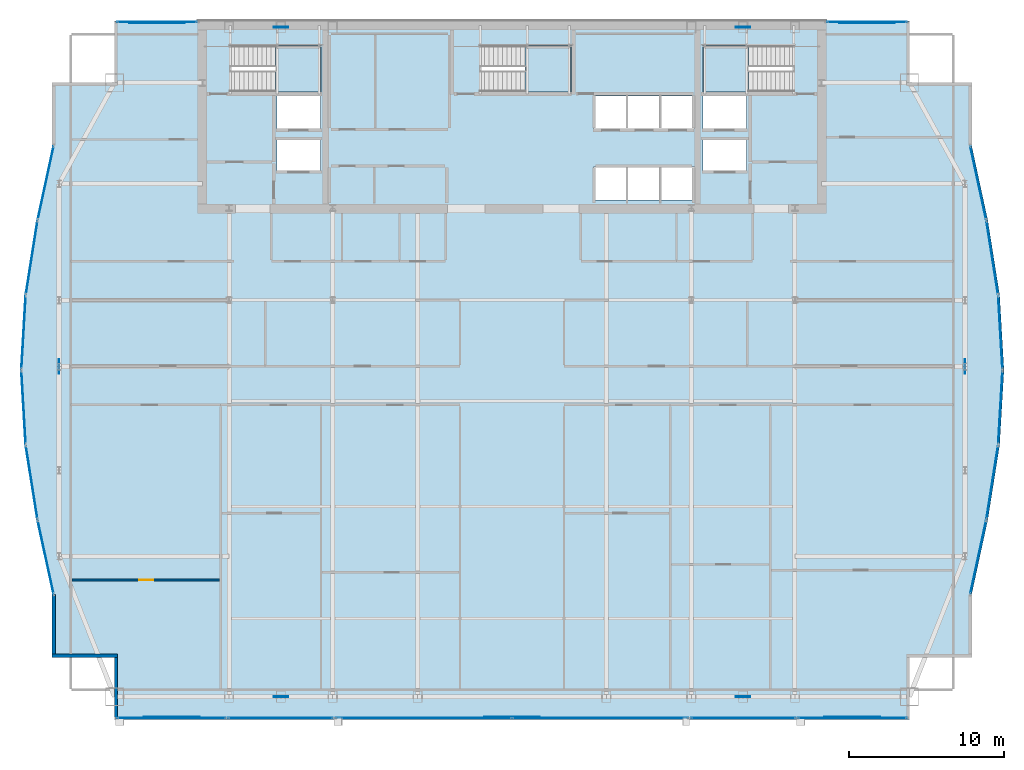
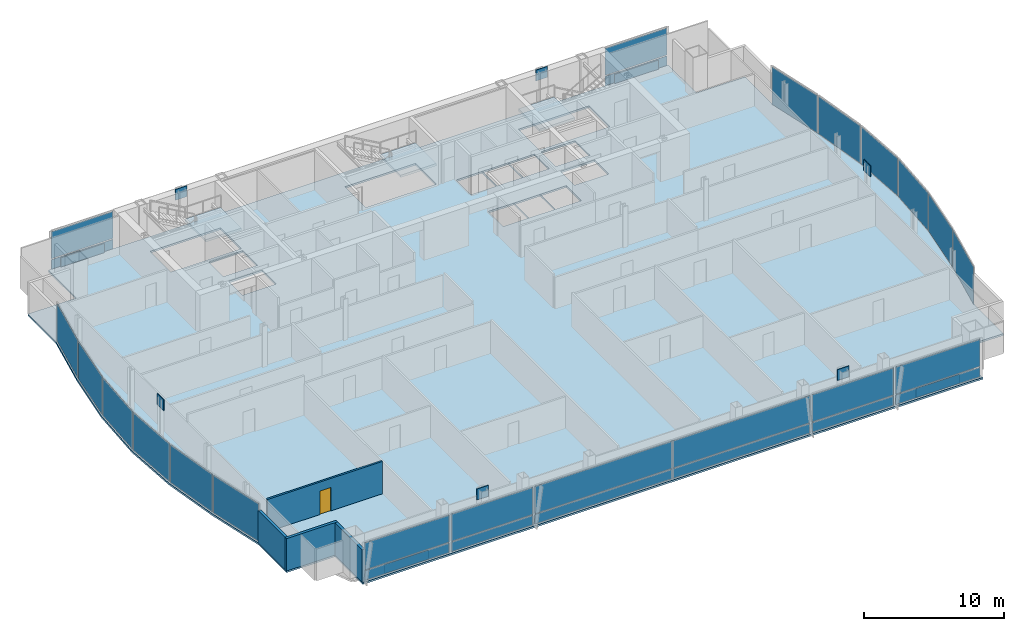
# One storey, part 24 of 30: 39 plates, 4 slabs, 4 walls, 1 door, 1 opening, 22 elements without a shape of their own.
"""IFC4 building model written with IfcOpenShell, lengths in metres."""

from ifc_helpers import new_model, si_unit, direction, frame, frame_2d, origin, origin_2d, place, context, subcontext, project, spatial, polyline, rectangle, outline, extrude, material, layer, layer_set, type_object, element, fill, aggregate, save


model = new_model("IFC4")

# Units and contexts
model_context = context("Model", 3, precision=1e-05, world=origin(), true_north=direction((0.0, 1.0)))
body_context = subcontext(model_context, "Body", "Model", "MODEL_VIEW")
ifc_project = project(units=[si_unit("LENGTHUNIT", "METRE"), si_unit("AREAUNIT", "SQUARE_METRE"), si_unit("VOLUMEUNIT", "CUBIC_METRE"), si_unit("PLANEANGLEUNIT", "RADIAN"), si_unit("MASSUNIT", "GRAM", prefix="KILO")], contexts=[model_context])

# Site, building, storey
site_placement = place(None, origin())
site = spatial("IfcSite", under=ifc_project, at=site_placement, CompositionType="ELEMENT")
building_placement = place(site_placement, origin())
building = spatial("IfcBuilding", under=site, at=building_placement, Name="Khoronbel Lancet Exchange", CompositionType="ELEMENT")
storey_placement = place(building_placement, frame((0.0, 0.0, 217.39990234375)))
storey = spatial("IfcBuildingStorey", under=building, at=storey_placement, Name="L55", CompositionType="ELEMENT", Elevation=217.39990234375)

# Curtain wall, plate
ifc_material_1 = material(Name="Low-E Solar Control Insulating Glass", Category="glass")
curtain_wall_type_1 = type_object("IfcCurtainWallType", Name="CW-4", PredefinedType="NOTDEFINED", material=ifc_material_1)
curtain_wall_1_placement = place(storey_placement, origin())
curtain_wall_1 = element("IfcCurtainWall", 1, at=curtain_wall_1_placement, inside=storey, type_object=curtain_wall_type_1, Name="Unitised curtain wall CW-L55-E05", PredefinedType="NOTDEFINED")
ifc_material_2 = material(Name="Bronze-Anodised Aluminium 6063-T6", Category="aluminium")
ifc_layer_1 = layer(ifc_material_2, 0.050048828125, Name="Bronze-Anodised Aluminium 6063-T6")
ifc_layer_set_1 = layer_set([ifc_layer_1], Name="Bronze-Anodised Aluminium 6063-T6")
plate_type_1 = type_object("IfcPlateType", Name="PLT-CSP1", PredefinedType="SHEET", material=ifc_layer_set_1)
plate_1_placement = place(storey_placement, frame((5.509033203125, 23.963134765625, 0.085205078125), z_axis=(0.0, 0.0, 1.0), x_axis=(-0.156605641119, 0.987661213762, 0.0)))
plate_1 = element("IfcPlate", 2, at=plate_1_placement, type_object=plate_type_1, Name="CW4 panel 1.1", PredefinedType="CURTAIN_PANEL", context=body_context, shape_type="SweptSolid", body=[
    extrude(rectangle(XDim=4.73681640625, YDim=0.0380859375, at=origin_2d()), origin(), (0.0, 0.0, 1.0), 3.27001953125),
])
aggregate(curtain_wall_1, [plate_1])

curtain_wall_2_placement = place(storey_placement, origin())
curtain_wall_2 = element("IfcCurtainWall", 3, at=curtain_wall_2_placement, inside=storey, type_object=curtain_wall_type_1, Name="Unitised curtain wall CW-L55-E06", PredefinedType="NOTDEFINED")
plate_2_placement = place(storey_placement, frame((4.986328125, 28.7880859375, 0.085205078125), z_axis=(0.0, 0.0, 1.0), x_axis=(-0.057929752304, 0.998320661811, 0.0)))
plate_2 = element("IfcPlate", 4, at=plate_2_placement, type_object=plate_type_1, Name="CW4 panel 1.1", PredefinedType="CURTAIN_PANEL", context=body_context, shape_type="SweptSolid", body=[
    extrude(rectangle(XDim=4.681640625, YDim=0.0380859375, at=origin_2d()), origin(), (0.0, 0.0, 1.0), 3.27001953125),
])
aggregate(curtain_wall_2, [plate_2])

curtain_wall_3_placement = place(storey_placement, origin())
curtain_wall_3 = element("IfcCurtainWall", 5, at=curtain_wall_3_placement, inside=storey, type_object=curtain_wall_type_1, Name="Unitised curtain wall CW-L55-E07", PredefinedType="NOTDEFINED")
plate_3_placement = place(storey_placement, frame((4.986328125, 33.61181640625, 0.085205078125), z_axis=(0.0, 0.0, 1.0), x_axis=(0.057929752304, 0.998320661811, 0.0)))
plate_3 = element("IfcPlate", 6, at=plate_3_placement, type_object=plate_type_1, Name="CW4 panel 1.1", PredefinedType="CURTAIN_PANEL", context=body_context, shape_type="SweptSolid", body=[
    extrude(rectangle(XDim=4.681640625, YDim=0.0380859375, at=origin_2d()), origin(), (0.0, 0.0, 1.0), 3.27001953125),
])
aggregate(curtain_wall_3, [plate_3])

curtain_wall_4_placement = place(storey_placement, origin())
curtain_wall_4 = element("IfcCurtainWall", 7, at=curtain_wall_4_placement, inside=storey, type_object=curtain_wall_type_1, Name="Unitised curtain wall CW-L55-E08", PredefinedType="NOTDEFINED")
plate_4_placement = place(storey_placement, frame((5.509033203125, 38.436767578125, 0.085205078125), z_axis=(0.0, 0.0, 1.0), x_axis=(0.156605641119, 0.987661213762, 0.0)))
plate_4 = element("IfcPlate", 8, at=plate_4_placement, type_object=plate_type_1, Name="CW4 panel 1.1", PredefinedType="CURTAIN_PANEL", context=body_context, shape_type="SweptSolid", body=[
    extrude(rectangle(XDim=4.73681640625, YDim=0.0380859375, at=origin_2d()), origin(), (0.0, 0.0, 1.0), 3.27001953125),
])
aggregate(curtain_wall_4, [plate_4])

curtain_wall_type_2 = type_object("IfcCurtainWallType", Name="CW-3", PredefinedType="NOTDEFINED", material=ifc_material_1)
curtain_wall_5_placement = place(storey_placement, origin())
curtain_wall_5 = element("IfcCurtainWall", 9, at=curtain_wall_5_placement, inside=storey, type_object=curtain_wall_type_2, Name="Unitised curtain wall CW-L55-NWFLK", PredefinedType="NOTDEFINED")
plate_5_placement = place(storey_placement, frame((13.580078125, 53.550048828125, 0.05029296875), z_axis=(0.0, 0.0, 1.0), x_axis=(-1.0, 0.0, 0.0)))
plate_5 = element("IfcPlate", 10, at=plate_5_placement, type_object=plate_type_1, Name="Insulated bronze spandrel cassette CW-L55-NWFLK", PredefinedType="SHEET", context=body_context, shape_type="SweptSolid", body=[
    extrude(rectangle(XDim=3.60009765625, YDim=0.050048828125, at=origin_2d()), origin(), (0.0, 0.0, 1.0), 0.800048828125),
])

curtain_wall_6_placement = place(storey_placement, origin())
curtain_wall_6 = element("IfcCurtainWall", 11, at=curtain_wall_6_placement, inside=storey, type_object=curtain_wall_type_2, Name="Unitised curtain wall CW-L55-NEFLK", PredefinedType="NOTDEFINED")
plate_6_placement = place(storey_placement, frame((59.320068359375, 53.550048828125, 0.05029296875), z_axis=(0.0, 0.0, 1.0), x_axis=(-1.0, 0.0, 0.0)))
plate_6 = element("IfcPlate", 12, at=plate_6_placement, type_object=plate_type_1, Name="Insulated bronze spandrel cassette CW-L55-NEFLK", PredefinedType="SHEET", context=body_context, shape_type="SweptSolid", body=[
    extrude(rectangle(XDim=3.60009765625, YDim=0.050048828125, at=origin_2d()), origin(), (0.0, 0.0, 1.0), 0.800048828125),
])

curtain_wall_7_placement = place(storey_placement, origin())
curtain_wall_7 = element("IfcCurtainWall", 13, at=curtain_wall_7_placement, inside=storey, type_object=curtain_wall_type_1, Name="Unitised curtain wall CW-L55-E18", PredefinedType="NOTDEFINED")
plate_7_placement = place(storey_placement, frame((67.390869140625, 38.436767578125, 0.085205078125), z_axis=(0.0, 0.0, 1.0), x_axis=(0.156605641119, -0.987661213762, 0.0)))
plate_7 = element("IfcPlate", 14, at=plate_7_placement, type_object=plate_type_1, Name="CW4 panel 1.1", PredefinedType="CURTAIN_PANEL", context=body_context, shape_type="SweptSolid", body=[
    extrude(rectangle(XDim=4.73681640625, YDim=0.0380859375, at=origin_2d()), origin(), (0.0, 0.0, 1.0), 3.27001953125),
])
aggregate(curtain_wall_7, [plate_7])

curtain_wall_8_placement = place(storey_placement, origin())
curtain_wall_8 = element("IfcCurtainWall", 15, at=curtain_wall_8_placement, inside=storey, type_object=curtain_wall_type_1, Name="Unitised curtain wall CW-L55-E19", PredefinedType="NOTDEFINED")
plate_8_placement = place(storey_placement, frame((67.91357421875, 33.61181640625, 0.085205078125), z_axis=(0.0, 0.0, 1.0), x_axis=(0.057929752304, -0.998320661811, 0.0)))
plate_8 = element("IfcPlate", 16, at=plate_8_placement, type_object=plate_type_1, Name="CW4 panel 1.1", PredefinedType="CURTAIN_PANEL", context=body_context, shape_type="SweptSolid", body=[
    extrude(rectangle(XDim=4.681640625, YDim=0.0380859375, at=origin_2d()), origin(), (0.0, 0.0, 1.0), 3.27001953125),
])
aggregate(curtain_wall_8, [plate_8])

curtain_wall_9_placement = place(storey_placement, origin())
curtain_wall_9 = element("IfcCurtainWall", 17, at=curtain_wall_9_placement, inside=storey, type_object=curtain_wall_type_1, Name="Unitised curtain wall CW-L55-E20", PredefinedType="NOTDEFINED")
plate_9_placement = place(storey_placement, frame((67.91357421875, 28.7880859375, 0.085205078125), z_axis=(0.0, 0.0, 1.0), x_axis=(-0.057929752304, -0.998320661811, 0.0)))
plate_9 = element("IfcPlate", 18, at=plate_9_placement, type_object=plate_type_1, Name="CW4 panel 1.1", PredefinedType="CURTAIN_PANEL", context=body_context, shape_type="SweptSolid", body=[
    extrude(rectangle(XDim=4.681640625, YDim=0.0380859375, at=origin_2d()), origin(), (0.0, 0.0, 1.0), 3.27001953125),
])
aggregate(curtain_wall_9, [plate_9])

curtain_wall_10_placement = place(storey_placement, origin())
curtain_wall_10 = element("IfcCurtainWall", 19, at=curtain_wall_10_placement, inside=storey, type_object=curtain_wall_type_1, Name="Unitised curtain wall CW-L55-E21", PredefinedType="NOTDEFINED")
plate_10_placement = place(storey_placement, frame((67.390869140625, 23.963134765625, 0.085205078125), z_axis=(0.0, 0.0, 1.0), x_axis=(-0.156605641119, -0.987661213762, 0.0)))
plate_10 = element("IfcPlate", 20, at=plate_10_placement, type_object=plate_type_1, Name="CW4 panel 1.1", PredefinedType="CURTAIN_PANEL", context=body_context, shape_type="SweptSolid", body=[
    extrude(rectangle(XDim=4.73681640625, YDim=0.0380859375, at=origin_2d()), origin(), (0.0, 0.0, 1.0), 3.27001953125),
])
aggregate(curtain_wall_10, [plate_10])

curtain_wall_11_placement = place(storey_placement, origin())
curtain_wall_11 = element("IfcCurtainWall", 21, at=curtain_wall_11_placement, inside=storey, type_object=curtain_wall_type_2, Name="Unitised curtain wall CW-L55-SWV", PredefinedType="NOTDEFINED")
plate_11_placement = place(storey_placement, frame((14.52001953125, 8.85009765625, 0.05029296875), z_axis=(0.0, 0.0, 1.0), x_axis=(1.0, 0.0, 0.0)))
plate_11 = element("IfcPlate", 22, at=plate_11_placement, type_object=plate_type_1, Name="Insulated bronze spandrel cassette CW-L55-SWV", PredefinedType="SHEET", context=body_context, shape_type="SweptSolid", body=[
    extrude(rectangle(XDim=3.60009765625, YDim=0.050048828125, at=origin_2d()), origin(), (0.0, 0.0, 1.0), 0.800048828125),
])

# Curtain wall, plates
curtain_wall_12_placement = place(storey_placement, origin())
curtain_wall_12 = element("IfcCurtainWall", 23, at=curtain_wall_12_placement, inside=storey, type_object=curtain_wall_type_2, Name="Unitised curtain wall CW-L55-SWB", PredefinedType="NOTDEFINED")
plate_12_placement = place(storey_placement, frame((21.550048828125, 8.7900390625, 0.0849609375), z_axis=(0.0, 0.0, 1.0), x_axis=(1.0, 0.0, 0.0)))
plate_12 = element("IfcPlate", 24, at=plate_12_placement, type_object=plate_type_1, Name="CW3 panel 1.1", PredefinedType="CURTAIN_PANEL", context=body_context, shape_type="SweptSolid", body=[
    extrude(rectangle(XDim=6.72998046875, YDim=0.0380859375, at=origin_2d()), origin(), (0.0, 0.0, 1.0), 0.822509765625),
])
plate_13_placement = place(storey_placement, frame((21.550048828125, 8.7900390625, 0.99267578125), z_axis=(0.0, 0.0, 1.0), x_axis=(1.0, 0.0, 0.0)))
plate_13 = element("IfcPlate", 25, at=plate_13_placement, type_object=plate_type_1, Name="CW3 panel 1.2", PredefinedType="CURTAIN_PANEL", context=body_context, shape_type="SweptSolid", body=[
    extrude(rectangle(XDim=6.72998046875, YDim=0.0380859375, at=origin_2d()), origin(), (0.0, 0.0, 1.0), 2.362548828125),
])
aggregate(curtain_wall_12, [plate_12, plate_13])

# Curtain wall, plate
curtain_wall_13_placement = place(storey_placement, origin())
curtain_wall_13 = element("IfcCurtainWall", 26, at=curtain_wall_13_placement, inside=storey, type_object=curtain_wall_type_2, Name="Unitised curtain wall CW-L55-SCV", PredefinedType="NOTDEFINED")
plate_14_placement = place(storey_placement, frame((36.449951171875, 8.85009765625, 0.05029296875), z_axis=(0.0, 0.0, 1.0), x_axis=(1.0, 0.0, 0.0)))
plate_14 = element("IfcPlate", 27, at=plate_14_placement, type_object=plate_type_1, Name="Insulated bronze spandrel cassette CW-L55-SCV", PredefinedType="SHEET", context=body_context, shape_type="SweptSolid", body=[
    extrude(rectangle(XDim=3.60009765625, YDim=0.050048828125, at=origin_2d()), origin(), (0.0, 0.0, 1.0), 0.800048828125),
])

# Curtain wall, plates
curtain_wall_14_placement = place(storey_placement, origin())
curtain_wall_14 = element("IfcCurtainWall", 28, at=curtain_wall_14_placement, inside=storey, type_object=curtain_wall_type_2, Name="Unitised curtain wall CW-L55-SEB", PredefinedType="NOTDEFINED")
plate_15_placement = place(storey_placement, frame((51.35009765625, 8.7900390625, 0.0849609375), z_axis=(0.0, 0.0, 1.0), x_axis=(1.0, 0.0, 0.0)))
plate_15 = element("IfcPlate", 29, at=plate_15_placement, type_object=plate_type_1, Name="CW3 panel 1.1", PredefinedType="CURTAIN_PANEL", context=body_context, shape_type="SweptSolid", body=[
    extrude(rectangle(XDim=6.72998046875, YDim=0.0380859375, at=origin_2d()), origin(), (0.0, 0.0, 1.0), 0.822509765625),
])
plate_16_placement = place(storey_placement, frame((51.35009765625, 8.7900390625, 0.99267578125), z_axis=(0.0, 0.0, 1.0), x_axis=(1.0, 0.0, 0.0)))
plate_16 = element("IfcPlate", 30, at=plate_16_placement, type_object=plate_type_1, Name="CW3 panel 1.2", PredefinedType="CURTAIN_PANEL", context=body_context, shape_type="SweptSolid", body=[
    extrude(rectangle(XDim=6.72998046875, YDim=0.0380859375, at=origin_2d()), origin(), (0.0, 0.0, 1.0), 2.362548828125),
])
aggregate(curtain_wall_14, [plate_15, plate_16])

# Curtain wall, plate
curtain_wall_15_placement = place(storey_placement, origin())
curtain_wall_15 = element("IfcCurtainWall", 31, at=curtain_wall_15_placement, inside=storey, type_object=curtain_wall_type_2, Name="Unitised curtain wall CW-L55-SEV", PredefinedType="NOTDEFINED")
plate_17_placement = place(storey_placement, frame((58.3798828125, 8.85009765625, 0.05029296875), z_axis=(0.0, 0.0, 1.0), x_axis=(1.0, 0.0, 0.0)))
plate_17 = element("IfcPlate", 32, at=plate_17_placement, type_object=plate_type_1, Name="Insulated bronze spandrel cassette CW-L55-SEV", PredefinedType="SHEET", context=body_context, shape_type="SweptSolid", body=[
    extrude(rectangle(XDim=3.60009765625, YDim=0.050048828125, at=origin_2d()), origin(), (0.0, 0.0, 1.0), 0.800048828125),
])

# Plate
ifc_layer_2 = layer(ifc_material_1, 0.035888671875, Name="Low-E Solar Control Insulating Glass")
ifc_layer_set_2 = layer_set([ifc_layer_2], Name="Low-E Solar Control Insulating Glass")
plate_type_2 = type_object("IfcPlateType", Name="PLT-CWP1", PredefinedType="CURTAIN_PANEL", material=ifc_layer_set_2)
plate_18_placement = place(storey_placement, frame((13.580078125, 53.610107421875, 0.0849609375), z_axis=(0.0, 0.0, 1.0), x_axis=(-1.0, 0.0, 0.0)))
plate_18 = element("IfcPlate", 33, at=plate_18_placement, type_object=plate_type_2, Name="CW3 panel 1.1", PredefinedType="CURTAIN_PANEL", context=body_context, shape_type="SweptSolid", body=[
    extrude(rectangle(XDim=5.110107421875, YDim=0.0380859375, at=origin_2d()), origin(), (0.0, 0.0, 1.0), 0.822509765625),
])

plate_19_placement = place(storey_placement, frame((13.580078125, 53.610107421875, 0.99267578125), z_axis=(0.0, 0.0, 1.0), x_axis=(-1.0, 0.0, 0.0)))
plate_19 = element("IfcPlate", 34, at=plate_19_placement, type_object=plate_type_2, Name="CW3 panel 1.2", PredefinedType="CURTAIN_PANEL", context=body_context, shape_type="SweptSolid", body=[
    extrude(rectangle(XDim=5.110107421875, YDim=0.0380859375, at=origin_2d()), origin(), (0.0, 0.0, 1.0), 2.362548828125),
])

aggregate(curtain_wall_5, [plate_18, plate_19, plate_5])

plate_20_placement = place(storey_placement, frame((59.320068359375, 53.610107421875, 0.0849609375), z_axis=(0.0, 0.0, 1.0), x_axis=(-1.0, 0.0, 0.0)))
plate_20 = element("IfcPlate", 35, at=plate_20_placement, type_object=plate_type_2, Name="CW3 panel 1.1", PredefinedType="CURTAIN_PANEL", context=body_context, shape_type="SweptSolid", body=[
    extrude(rectangle(XDim=5.110107421875, YDim=0.0380859375, at=origin_2d()), origin(), (0.0, 0.0, 1.0), 0.822509765625),
])

plate_21_placement = place(storey_placement, frame((59.320068359375, 53.610107421875, 0.99267578125), z_axis=(0.0, 0.0, 1.0), x_axis=(-1.0, 0.0, 0.0)))
plate_21 = element("IfcPlate", 36, at=plate_21_placement, type_object=plate_type_2, Name="CW3 panel 1.2", PredefinedType="CURTAIN_PANEL", context=body_context, shape_type="SweptSolid", body=[
    extrude(rectangle(XDim=5.110107421875, YDim=0.0380859375, at=origin_2d()), origin(), (0.0, 0.0, 1.0), 2.362548828125),
])

aggregate(curtain_wall_6, [plate_20, plate_21, plate_6])

plate_22_placement = place(storey_placement, frame((14.52001953125, 8.7900390625, 0.0849609375), z_axis=(0.0, 0.0, 1.0), x_axis=(1.0, 0.0, 0.0)))
plate_22 = element("IfcPlate", 37, at=plate_22_placement, type_object=plate_type_2, Name="CW3 panel 1.1", PredefinedType="CURTAIN_PANEL", context=body_context, shape_type="SweptSolid", body=[
    extrude(rectangle(XDim=6.989990234375, YDim=0.0380859375, at=origin_2d()), origin(), (0.0, 0.0, 1.0), 0.822509765625),
])

plate_23_placement = place(storey_placement, frame((14.52001953125, 8.7900390625, 0.99267578125), z_axis=(0.0, 0.0, 1.0), x_axis=(1.0, 0.0, 0.0)))
plate_23 = element("IfcPlate", 38, at=plate_23_placement, type_object=plate_type_2, Name="CW3 panel 1.2", PredefinedType="CURTAIN_PANEL", context=body_context, shape_type="SweptSolid", body=[
    extrude(rectangle(XDim=6.989990234375, YDim=0.0380859375, at=origin_2d()), origin(), (0.0, 0.0, 1.0), 2.362548828125),
])

aggregate(curtain_wall_11, [plate_22, plate_23, plate_11])

plate_24_placement = place(storey_placement, frame((30.746337890625, 8.7900390625, 0.0849609375), z_axis=(0.0, 0.0, 1.0), x_axis=(1.0, 0.0, 0.0)))
plate_24 = element("IfcPlate", 39, at=plate_24_placement, type_object=plate_type_2, Name="CW3 panel 1.1", PredefinedType="CURTAIN_PANEL", context=body_context, shape_type="SweptSolid", body=[
    extrude(rectangle(XDim=11.322509765625, YDim=0.0380859375, at=origin_2d()), origin(), (0.0, 0.0, 1.0), 0.822509765625),
])

plate_25_placement = place(storey_placement, frame((30.746337890625, 8.7900390625, 0.99267578125), z_axis=(0.0, 0.0, 1.0), x_axis=(1.0, 0.0, 0.0)))
plate_25 = element("IfcPlate", 40, at=plate_25_placement, type_object=plate_type_2, Name="CW3 panel 1.2", PredefinedType="CURTAIN_PANEL", context=body_context, shape_type="SweptSolid", body=[
    extrude(rectangle(XDim=11.322509765625, YDim=0.0380859375, at=origin_2d()), origin(), (0.0, 0.0, 1.0), 2.362548828125),
])

plate_26_placement = place(storey_placement, frame((42.15380859375, 8.7900390625, 0.0849609375), z_axis=(0.0, 0.0, 1.0), x_axis=(1.0, 0.0, 0.0)))
plate_26 = element("IfcPlate", 41, at=plate_26_placement, type_object=plate_type_2, Name="CW3 panel 2.1", PredefinedType="CURTAIN_PANEL", context=body_context, shape_type="SweptSolid", body=[
    extrude(rectangle(XDim=11.322509765625, YDim=0.0380859375, at=origin_2d()), origin(), (0.0, 0.0, 1.0), 0.822509765625),
])

plate_27_placement = place(storey_placement, frame((42.15380859375, 8.7900390625, 0.99267578125), z_axis=(0.0, 0.0, 1.0), x_axis=(1.0, 0.0, 0.0)))
plate_27 = element("IfcPlate", 42, at=plate_27_placement, type_object=plate_type_2, Name="CW3 panel 2.2", PredefinedType="CURTAIN_PANEL", context=body_context, shape_type="SweptSolid", body=[
    extrude(rectangle(XDim=11.322509765625, YDim=0.0380859375, at=origin_2d()), origin(), (0.0, 0.0, 1.0), 2.362548828125),
])

aggregate(curtain_wall_13, [plate_24, plate_25, plate_26, plate_27, plate_14])

plate_28_placement = place(storey_placement, frame((58.3798828125, 8.7900390625, 0.0849609375), z_axis=(0.0, 0.0, 1.0), x_axis=(1.0, 0.0, 0.0)))
plate_28 = element("IfcPlate", 43, at=plate_28_placement, type_object=plate_type_2, Name="CW3 panel 1.1", PredefinedType="CURTAIN_PANEL", context=body_context, shape_type="SweptSolid", body=[
    extrude(rectangle(XDim=6.989990234375, YDim=0.0380859375, at=origin_2d()), origin(), (0.0, 0.0, 1.0), 0.822509765625),
])

plate_29_placement = place(storey_placement, frame((58.3798828125, 8.7900390625, 0.99267578125), z_axis=(0.0, 0.0, 1.0), x_axis=(1.0, 0.0, 0.0)))
plate_29 = element("IfcPlate", 44, at=plate_29_placement, type_object=plate_type_2, Name="CW3 panel 1.2", PredefinedType="CURTAIN_PANEL", context=body_context, shape_type="SweptSolid", body=[
    extrude(rectangle(XDim=6.989990234375, YDim=0.0380859375, at=origin_2d()), origin(), (0.0, 0.0, 1.0), 2.362548828125),
])

aggregate(curtain_wall_15, [plate_28, plate_29, plate_17])

# Curtain wall, plate
curtain_wall_16_placement = place(storey_placement, origin())
curtain_wall_16 = element("IfcCurtainWall", 45, at=curtain_wall_16_placement, inside=storey, type_object=curtain_wall_type_1, Name="Unitised curtain wall CW-L55-E04", PredefinedType="NOTDEFINED")
ifc_material_3 = material(Name="Ceramic-Fritted Laminated Insulating Glass", Category="glass")
ifc_layer_3 = layer(ifc_material_3, 0.0419921875, Name="Ceramic-Fritted Laminated Insulating Glass")
ifc_layer_set_3 = layer_set([ifc_layer_3], Name="Ceramic-Fritted Laminated Insulating Glass")
plate_type_3 = type_object("IfcPlateType", Name="PLT-CWP2", PredefinedType="CURTAIN_PANEL", material=ifc_layer_set_3)
plate_30_placement = place(storey_placement, frame((6.415771484375, 19.129638671875, 0.085205078125), z_axis=(0.0, 0.0, 1.0), x_axis=(-0.211670093448, 0.977341174585, 0.0)))
plate_30 = element("IfcPlate", 46, at=plate_30_placement, type_object=plate_type_3, Name="CW4 panel 1.1", PredefinedType="CURTAIN_PANEL", context=body_context, shape_type="SweptSolid", body=[
    extrude(rectangle(XDim=4.802490234375, YDim=0.0380859375, at=origin_2d()), origin(), (0.0, 0.0, 1.0), 3.27001953125),
])
aggregate(curtain_wall_16, [plate_30])

curtain_wall_17_placement = place(storey_placement, origin())
curtain_wall_17 = element("IfcCurtainWall", 47, at=curtain_wall_17_placement, inside=storey, type_object=curtain_wall_type_1, Name="Unitised curtain wall CW-L55-E09", PredefinedType="NOTDEFINED")
plate_31_placement = place(storey_placement, frame((6.415771484375, 43.270263671875, 0.085205078125), z_axis=(0.0, 0.0, 1.0), x_axis=(0.211670093448, 0.977341174585, 0.0)))
plate_31 = element("IfcPlate", 48, at=plate_31_placement, type_object=plate_type_3, Name="CW4 panel 1.1", PredefinedType="CURTAIN_PANEL", context=body_context, shape_type="SweptSolid", body=[
    extrude(rectangle(XDim=4.802490234375, YDim=0.0380859375, at=origin_2d()), origin(), (0.0, 0.0, 1.0), 3.27001953125),
])
aggregate(curtain_wall_17, [plate_31])

curtain_wall_18_placement = place(storey_placement, origin())
curtain_wall_18 = element("IfcCurtainWall", 49, at=curtain_wall_18_placement, inside=storey, type_object=curtain_wall_type_1, Name="Unitised curtain wall CW-L55-E17", PredefinedType="NOTDEFINED")
plate_32_placement = place(storey_placement, frame((66.484130859375, 43.270263671875, 0.085205078125), z_axis=(0.0, 0.0, 1.0), x_axis=(0.211670093448, -0.977341174585, 0.0)))
plate_32 = element("IfcPlate", 50, at=plate_32_placement, type_object=plate_type_3, Name="CW4 panel 1.1", PredefinedType="CURTAIN_PANEL", context=body_context, shape_type="SweptSolid", body=[
    extrude(rectangle(XDim=4.802490234375, YDim=0.0380859375, at=origin_2d()), origin(), (0.0, 0.0, 1.0), 3.27001953125),
])
aggregate(curtain_wall_18, [plate_32])

curtain_wall_19_placement = place(storey_placement, origin())
curtain_wall_19 = element("IfcCurtainWall", 51, at=curtain_wall_19_placement, inside=storey, type_object=curtain_wall_type_1, Name="Unitised curtain wall CW-L55-E22", PredefinedType="NOTDEFINED")
plate_33_placement = place(storey_placement, frame((66.484130859375, 19.129638671875, 0.085205078125), z_axis=(0.0, 0.0, 1.0), x_axis=(-0.211670093448, -0.977341174585, 0.0)))
plate_33 = element("IfcPlate", 52, at=plate_33_placement, type_object=plate_type_3, Name="CW4 panel 1.1", PredefinedType="CURTAIN_PANEL", context=body_context, shape_type="SweptSolid", body=[
    extrude(rectangle(XDim=4.802490234375, YDim=0.0380859375, at=origin_2d()), origin(), (0.0, 0.0, 1.0), 3.27001953125),
])
aggregate(curtain_wall_19, [plate_33])

# Plates
ifc_material_4 = material(Name="Steel S460", Category="steel")
ifc_layer_4 = layer(ifc_material_4, 0.06005859375, Name="Steel S460")
ifc_layer_set_4 = layer_set([ifc_layer_4], Name="Steel S460")
plate_type_4 = type_object("IfcPlateType", Name="PLT-ND2", PredefinedType="USERDEFINED", material=ifc_layer_set_4)
for number, where, z_axis, x_axis, name in (
    (53, (21.5625, 10.14990234375, 2.77490234375), (0.0, 0.0, 1.0), (1.0, 0.0, 0.0), "ND2 perimeter brace node gusset T18-S-W"),
    (54, (51.33740234375, 10.14990234375, 2.77490234375), (0.0, 0.0, 1.0), (1.0, 0.0, 0.0), "ND2 perimeter brace node gusset T18-S-E"),
    (55, (21.5625, 53.280029296875, 2.77490234375), (0.0, 0.0, 1.0), (1.0, 0.0, 0.0), "ND2 perimeter brace node gusset T18-N-W"),
    (56, (51.33740234375, 53.280029296875, 2.77490234375), (0.0, 0.0, 1.0), (1.0, 0.0, 0.0), "ND2 perimeter brace node gusset T18-N-E"),
    (57, (7.27001953125, 31.425048828125, 2.77490234375), (0.0, 0.0, 1.0), (0.0, 1.0, 0.0), "ND2 perimeter brace node gusset T18-W-P"),
    (58, (65.6298828125, 31.425048828125, 2.77490234375), (0.0, 0.0, 1.0), (0.0, 1.0, 0.0), "ND2 perimeter brace node gusset T18-E-P"),
):
    element("IfcPlate", number, at=place(storey_placement, frame(where, z_axis=z_axis, x_axis=x_axis)), inside=storey, type_object=plate_type_4, Name=name, ObjectType="GUSSET_PLATE", PredefinedType="USERDEFINED", context=body_context, shape_type="SweptSolid", body=[
        extrude(rectangle(XDim=0.949951171875, YDim=0.06005859375, at=origin_2d()), origin(), (0.0, 0.0, 1.0), 0.949951171875),
    ])

# Slab
ifc_material_5 = material(Name="Concrete C40/50", Category="concrete")
ifc_layer_5 = layer(ifc_material_5, 0.159912109375, Name="Concrete C40/50")
ifc_layer_set_5 = layer_set([ifc_layer_5], Name="Concrete C40/50")
slab_type_1 = type_object("IfcSlabType", Name="SL-FL160", PredefinedType="FLOOR", material=ifc_layer_set_5)
slab_1_placement = place(storey_placement, frame((0.0, 0.0, -0.159912109375)))
element("IfcSlab", 59, at=slab_1_placement, inside=storey, type_object=slab_type_1, Name="Level L55 composite structural floor slab", PredefinedType="FLOOR", context=body_context, shape_type="SweptSolid", body=[
    extrude(outline(polyline([(10.85009765625, 8.699951171875), (62.050048828125, 8.699951171875), (62.050048828125, 12.699951171875), (66.050048828125, 12.699951171875), (66.050048828125, 16.699951171875), (67.0966796875, 21.533203125), (67.86328125, 26.36669921875), (68.143798828125, 31.199951171875), (67.86328125, 36.033203125), (67.0966796875, 40.86669921875), (66.050048828125, 45.699951171875), (66.050048828125, 49.699951171875), (62.050048828125, 49.699951171875), (62.050048828125, 53.699951171875), (10.85009765625, 53.699951171875), (10.85009765625, 49.699951171875), (6.85009765625, 49.699951171875), (6.85009765625, 45.699951171875), (5.80322265625, 40.86669921875), (5.036865234375, 36.033203125), (4.75634765625, 31.199951171875), (5.036865234375, 26.36669921875), (5.80322265625, 21.533203125), (6.85009765625, 16.699951171875), (6.85009765625, 12.699951171875), (10.85009765625, 12.699951171875), (10.85009765625, 8.699951171875)]), holes=[polyline([(18.324951171875, 49.1201171875), (24.14990234375, 49.1201171875), (24.14990234375, 52.10009765625), (18.324951171875, 52.10009765625), (18.324951171875, 49.1201171875)]), polyline([(48.75, 49.1201171875), (54.574951171875, 49.1201171875), (54.574951171875, 52.10009765625), (48.75, 52.10009765625), (48.75, 49.1201171875)]), polyline([(34.425048828125, 49.1201171875), (40.25, 49.1201171875), (40.25, 52.10009765625), (34.425048828125, 52.10009765625), (34.425048828125, 49.1201171875)]), polyline([(41.739990234375, 46.75), (43.8798828125, 46.75), (43.8798828125, 48.85009765625), (41.739990234375, 48.85009765625), (41.739990234375, 46.75)]), polyline([(43.89990234375, 46.75), (46.0400390625, 46.75), (46.0400390625, 48.85009765625), (43.89990234375, 48.85009765625), (43.89990234375, 46.75)]), polyline([(46.06005859375, 46.75), (48.199951171875, 46.75), (48.199951171875, 48.85009765625), (46.06005859375, 48.85009765625), (46.06005859375, 46.75)]), polyline([(41.739990234375, 42.14990234375), (43.8798828125, 42.14990234375), (43.8798828125, 44.300048828125), (41.739990234375, 44.300048828125), (41.739990234375, 42.14990234375)]), polyline([(43.89990234375, 42.14990234375), (46.0400390625, 42.14990234375), (46.0400390625, 44.300048828125), (43.89990234375, 44.300048828125), (43.89990234375, 42.14990234375)]), polyline([(46.06005859375, 42.14990234375), (48.199951171875, 42.14990234375), (48.199951171875, 44.300048828125), (46.06005859375, 44.300048828125), (46.06005859375, 42.14990234375)]), polyline([(21.300048828125, 46.75), (24.10009765625, 46.75), (24.10009765625, 48.85009765625), (21.300048828125, 48.85009765625), (21.300048828125, 46.75)]), polyline([(48.75, 46.75), (51.550048828125, 46.75), (51.550048828125, 48.85009765625), (48.75, 48.85009765625), (48.75, 46.75)]), polyline([(21.300048828125, 44.050048828125), (24.10009765625, 44.050048828125), (24.10009765625, 46.050048828125), (21.300048828125, 46.050048828125), (21.300048828125, 44.050048828125)]), polyline([(48.75, 44.050048828125), (51.550048828125, 44.050048828125), (51.550048828125, 46.050048828125), (48.75, 46.050048828125), (48.75, 44.050048828125)])]), origin(), (0.0, 0.0, 1.0), 0.159912109375),
])

# Stair, slab
stair_type = type_object("IfcStairType", Name="STR-CORE150", PredefinedType="HALF_TURN_STAIR", material=ifc_material_5)
stair_1_placement = place(storey_placement, origin())
stair_1 = element("IfcStair", 60, at=stair_1_placement, inside=storey, type_object=stair_type, Name="L55 Protected Exit Stair ST1", PredefinedType="HALF_TURN_STAIR")
ifc_layer_6 = layer(ifc_material_5, 0.199951171875, Name="Concrete C40/50")
ifc_layer_set_6 = layer_set([ifc_layer_6], Name="Concrete C40/50")
slab_type_2 = type_object("IfcSlabType", Name="SL-LND180", PredefinedType="LANDING", material=ifc_layer_set_6)
slab_2_placement = place(storey_placement, frame((0.0, 0.0, 1.60009765625)))
slab_2 = element("IfcSlab", 61, at=slab_2_placement, type_object=slab_type_2, Name="ST1 landing 1", PredefinedType="LANDING", context=body_context, shape_type="SweptSolid", body=[
    extrude(outline(polyline([(21.199951171875, 49.1201171875), (24.14990234375, 49.1201171875), (24.14990234375, 52.10009765625), (21.199951171875, 52.10009765625), (21.199951171875, 49.1201171875)])), origin(), (0.0, 0.0, 1.0), 0.199951171875),
])
aggregate(stair_1, [slab_2])

stair_2_placement = place(storey_placement, origin())
stair_2 = element("IfcStair", 62, at=stair_2_placement, inside=storey, type_object=stair_type, Name="L55 Protected Exit Stair ST2", PredefinedType="HALF_TURN_STAIR")
slab_3_placement = place(storey_placement, frame((0.0, 0.0, 1.60009765625)))
slab_3 = element("IfcSlab", 63, at=slab_3_placement, type_object=slab_type_2, Name="ST2 landing 1", PredefinedType="LANDING", context=body_context, shape_type="SweptSolid", body=[
    extrude(outline(polyline([(51.699951171875, 52.10009765625), (48.75, 52.10009765625), (48.75, 49.1201171875), (51.699951171875, 49.1201171875), (51.699951171875, 52.10009765625)])), origin(), (0.0, 0.0, 1.0), 0.199951171875),
])
aggregate(stair_2, [slab_3])

stair_3_placement = place(storey_placement, origin())
stair_3 = element("IfcStair", 64, at=stair_3_placement, inside=storey, type_object=stair_type, Name="L55 Protected Exit Stair ST3", PredefinedType="HALF_TURN_STAIR")
slab_4_placement = place(storey_placement, frame((0.0, 0.0, 1.60009765625)))
slab_4 = element("IfcSlab", 65, at=slab_4_placement, type_object=slab_type_2, Name="ST3 landing 1", PredefinedType="LANDING", context=body_context, shape_type="SweptSolid", body=[
    extrude(outline(polyline([(37.300048828125, 49.1201171875), (40.25, 49.1201171875), (40.25, 52.10009765625), (37.300048828125, 52.10009765625), (37.300048828125, 49.1201171875)])), origin(), (0.0, 0.0, 1.0), 0.199951171875),
])
aggregate(stair_3, [slab_4])

# Walls
ifc_material_6 = material(Name="Precast concrete C40/50", Category="concrete")
ifc_layer_7 = layer(ifc_material_6, 0.25, Name="Precast concrete C40/50")
ifc_layer_set_7 = layer_set([ifc_layer_7], Name="Precast concrete C40/50")
wall_type_1 = type_object("IfcWallType", Name="WL-EXT250", PredefinedType="SOLIDWALL", material=ifc_layer_set_7)
wall_1_placement = place(storey_placement, frame((10.93994140625, 8.77001953125, 0.0), z_axis=(0.0, 0.0, 1.0), x_axis=(0.0, 1.0, 0.0)))
element("IfcWall", 66, at=wall_1_placement, inside=storey, type_object=wall_type_1, Name="Level L55 notched-corner limestone pier 01", PredefinedType="SOLIDWALL", context=body_context, shape_type="SweptSolid", body=[
    extrude(rectangle(XDim=3.909912109375, YDim=0.219970703125, at=frame_2d((1.955078125, 0.0))), origin(), (0.0, 0.0, 1.0), 2.830078125),
])
wall_2_placement = place(storey_placement, frame((11.050048828125, 12.7900390625, 0.0), z_axis=(0.0, 0.0, 1.0), x_axis=(-1.0, 0.0, 0.0)))
element("IfcWall", 67, at=wall_2_placement, inside=storey, type_object=wall_type_1, Name="Level L55 notched-corner limestone pier 02", PredefinedType="SOLIDWALL", context=body_context, shape_type="SweptSolid", body=[
    extrude(rectangle(XDim=4.219970703125, YDim=0.219970703125, at=frame_2d((2.10986328125, 0.0))), origin(), (0.0, 0.0, 1.0), 2.830078125),
])
wall_3_placement = place(storey_placement, frame((6.93994140625, 12.89990234375, 0.0), z_axis=(0.0, 0.0, 1.0), x_axis=(0.0, 1.0, 0.0)))
element("IfcWall", 68, at=wall_3_placement, inside=storey, type_object=wall_type_1, Name="Level L55 notched-corner limestone pier 03", PredefinedType="SOLIDWALL", context=body_context, shape_type="SweptSolid", body=[
    extrude(rectangle(XDim=3.82958984375, YDim=0.219970703125, at=frame_2d((1.914794921875, 0.0))), origin(), (0.0, 0.0, 1.0), 2.830078125),
])

# Wall, opening, door
ifc_material_7 = material(Name="Acoustic Metal-Stud & Mineral-Wool Gypsum Partition 120 mm", Category="gypsum")
ifc_layer_8 = layer(ifc_material_7, 0.1201171875, Name="Acoustic Metal-Stud & Mineral-Wool Gypsum Partition 120 mm")
ifc_layer_set_8 = layer_set([ifc_layer_8], Name="Acoustic Metal-Stud & Mineral-Wool Gypsum Partition 120 mm")
wall_type_2 = type_object("IfcWallType", Name="WL-PRT120", PredefinedType="PARTITIONING", material=ifc_layer_set_8)
wall_4_placement = place(storey_placement, frame((8.094970703125, 17.670654296875, 0.0), z_axis=(0.0, 0.0, 1.0), x_axis=(1.0, 0.0, 0.0)))
wall_4 = element("IfcWall", 69, at=wall_4_placement, inside=storey, type_object=wall_type_2, Name="Level L55 interior partition PW-Z3SW-H1", PredefinedType="PARTITIONING", context=body_context, shape_type="SweptSolid", body=[
    extrude(rectangle(XDim=9.5068359375, YDim=0.14990234375, at=frame_2d((4.75341796875, 0.0))), origin(), (0.0, 0.0, 1.0), 2.830078125),
])
opening_placement = place(wall_4_placement, frame((4.34326171875, 0.0, 0.0)))
opening = element("IfcOpeningElement", 70, at=opening_placement, cuts=wall_4, Name="Opening D5", PredefinedType="OPENING", context=body_context, shape_type="SweptSolid", body=[
    extrude(rectangle(XDim=0.89990234375, YDim=2.050048828125, at=frame_2d((0.449951171875, 1.02490234375))), frame((0.0, 0.0849609375, 0.0), z_axis=(0.0, -1.0, 0.0), x_axis=(1.0, 0.0, 0.0)), (0.0, 0.0, 1.0), 0.169921875),
])
ifc_material_8 = material(Name="Acoustic Timber Pantry & Support Door", Category="wood")
door_type = type_object("IfcDoorType", Name="DR-D5", OperationType="NOTDEFINED", PredefinedType="DOOR", material=ifc_material_8)
door_placement = place(opening_placement, origin())
door = element("IfcDoor", 71, at=door_placement, inside=storey, type_object=door_type, Name="Z3SW inner door 1 L55-1", OperationType="SINGLE_SWING_RIGHT", OverallHeight=2.050048828125, OverallWidth=0.89990234375, PredefinedType="DOOR", context=body_context, shape_type="SweptSolid", body=[
    extrude(rectangle(XDim=0.89990234375, YDim=2.050048828125, at=frame_2d((0.449951171875, 1.02490234375))), frame((0.0, 0.02490234375, 0.0), z_axis=(0.0, -1.0, 0.0), x_axis=(1.0, 0.0, 0.0)), (0.0, 0.0, 1.0), 0.050048828125),
])
fill(opening, door)

save(model, "model.ifc")
